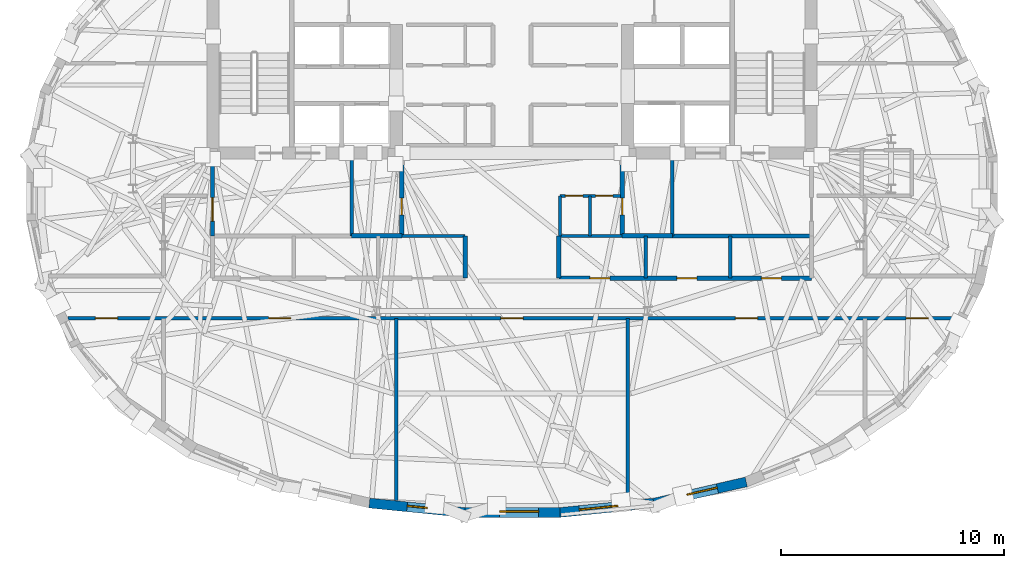
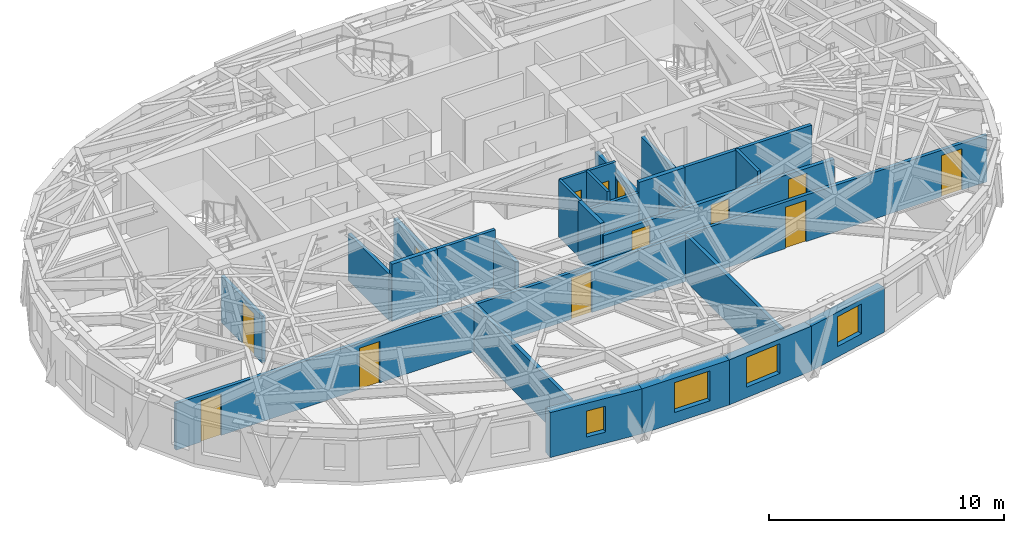
# One storey, part 6 of 13: 25 walls, 13 doors, 4 windows, 17 openings.
"""IFC4 building model written with IfcOpenShell, lengths in metres."""

import ifcopenshell
import ifcopenshell.guid

model = None  # the IFC model being written
_history = None  # IfcOwnerHistory: only IFC2X3 demands one
_inside = {}  # id of a spatial element -> (the spatial element, [elements in it])
_under = {}  # id of a project, library or spatial element -> (it, [spatial elements below it])
_declared = {}  # id of a project -> (the project, [libraries it declares])
_typed = {}  # id of a type object -> (the type object, [elements of that type])
_made_of = {}  # id of a material, layer set ... -> (it, [elements and type objects made of it])


def new_model(schema):
    """Start an empty IFC model of exactly this schema.

    Asked for "IFC4X3", IfcOpenShell would pick the latest addendum, in which some entities
    have other attributes; the version numbers below select the first issue.
    IFC2X3 requires an IfcOwnerHistory on every rooted entity: one is made here for all.
    """
    global model, _history
    if schema == "IFC4X3":
        model = ifcopenshell.file(schema_version=(4, 3, 0, 0))
    else:
        model = ifcopenshell.file(schema=schema)
    _inside.clear()
    _under.clear()
    _declared.clear()
    _typed.clear()
    _made_of.clear()
    _history = None
    if model.schema == "IFC2X3":
        org = make("IfcOrganization", Name="unknown")
        user = make(
            "IfcPersonAndOrganization",
            ThePerson=make("IfcPerson", FamilyName="unknown"),
            TheOrganization=org,
        )
        app = make(
            "IfcApplication",
            ApplicationDeveloper=org,
            Version="unknown",
            ApplicationFullName="unknown",
            ApplicationIdentifier="unknown",
        )
        _history = make(
            "IfcOwnerHistory",
            OwningUser=user,
            OwningApplication=app,
            ChangeAction="ADDED",
            CreationDate=0,
        )
    return model


def make(cls, **values):
    """One entity of the class cls with the attributes given. An attribute that is None is left unset."""
    return model.create_entity(
        cls, **{name: value for name, value in values.items() if value is not None}
    )


def rooted(cls, **values):
    """An entity with a GlobalId (a new one), such as an element, a storey or a relation."""
    return make(cls, GlobalId=ifcopenshell.guid.new(), OwnerHistory=_history, **values)


def si_unit(unit_type, name, prefix=None):
    """IfcSIUnit, for example si_unit("LENGTHUNIT", "METRE", prefix="MILLI")."""
    return make("IfcSIUnit", UnitType=unit_type, Prefix=prefix, Name=name)


def assignment(units):
    """IfcUnitAssignment: the units of a project."""
    return None if units is None else make("IfcUnitAssignment", Units=units)


def point(xyz):
    """IfcCartesianPoint."""
    return None if xyz is None else make("IfcCartesianPoint", Coordinates=xyz)


def direction(xyz):
    """IfcDirection."""
    return None if xyz is None else make("IfcDirection", DirectionRatios=xyz)


def frame(location, z_axis=None, x_axis=None):
    """IfcAxis2Placement3D, a coordinate frame: its origin and axes. An axis left out is left unset."""
    return make(
        "IfcAxis2Placement3D",
        Location=point(location),
        Axis=direction(z_axis),
        RefDirection=direction(x_axis),
    )


def frame_2d(location, x_axis=None):
    """IfcAxis2Placement2D, a coordinate frame in the plane: its origin and x axis."""
    return make(
        "IfcAxis2Placement2D", Location=point(location), RefDirection=direction(x_axis)
    )


def origin():
    """The frame at (0, 0, 0) with its axes left unset."""
    return frame((0.0, 0.0, 0.0))


def place(relative_to, where):
    """IfcLocalPlacement: puts the frame where relative to a parent placement (None: the world)."""
    return make(
        "IfcLocalPlacement", PlacementRelTo=relative_to, RelativePlacement=where
    )


def context(
    kind, dimensions, precision=None, world=None, true_north=None, identifier=None
):
    """IfcGeometricRepresentationContext, for example the 3D "Model" context."""
    return make(
        "IfcGeometricRepresentationContext",
        ContextIdentifier=identifier,
        ContextType=kind,
        CoordinateSpaceDimension=dimensions,
        Precision=precision,
        WorldCoordinateSystem=world,
        TrueNorth=true_north,
    )


def subcontext(parent, identifier, kind, view, scale=None):
    """IfcGeometricRepresentationSubContext, for example "Body" below "Model"."""
    return make(
        "IfcGeometricRepresentationSubContext",
        ContextIdentifier=identifier,
        ContextType=kind,
        ParentContext=parent,
        TargetScale=scale,
        TargetView=view,
    )


def project(units=None, contexts=None):
    """IfcProject with its units and contexts."""
    return rooted(
        "IfcProject",
        Name="project",
        RepresentationContexts=contexts,
        UnitsInContext=assignment(units),
    )


def spatial(cls, under=None, at=None, **own):
    """A site, building, storey or space (cls), placed at a placement, below another one or the project."""
    s = rooted(cls, ObjectPlacement=at, **own)
    if under is not None:
        _under.setdefault(under.id(), (under, []))[1].append(s)
    return s


def profile(cls, at=None, kind="AREA", **sizes):
    """A parametric profile (cls). Its sizes go by their IFC names, for example OverallWidth=200.0."""
    return make(cls, ProfileType=kind, Position=at, **sizes)


def rectangle(**sizes):
    """IfcRectangleProfileDef."""
    return profile("IfcRectangleProfileDef", **sizes)


def extrude(swept, where, along, depth):
    """IfcExtrudedAreaSolid: the profile swept, set in the frame where, extruded along a direction by depth."""
    return make(
        "IfcExtrudedAreaSolid",
        SweptArea=swept,
        Position=where,
        ExtrudedDirection=direction(along),
        Depth=depth,
    )


def shape(context_of_items, identifier, shape_type, items):
    """IfcShapeRepresentation: the items that make up one representation, for example the "Body"."""
    return make(
        "IfcShapeRepresentation",
        ContextOfItems=context_of_items,
        RepresentationIdentifier=identifier,
        RepresentationType=shape_type,
        Items=items,
    )


def material(Name=None, Category=None):
    """IfcMaterial."""
    return make("IfcMaterial", Name=Name, Category=Category)


def layer(
    of_material, thickness, ventilated=None, Name=None, Category=None, Priority=None
):
    """IfcMaterialLayer: one layer of a wall or slab, of a material (None: an air gap)."""
    return make(
        "IfcMaterialLayer",
        Material=of_material,
        LayerThickness=thickness,
        IsVentilated=ventilated,
        Name=Name,
        Category=Category,
        Priority=Priority,
    )


def layer_set(layers, Name=None):
    """IfcMaterialLayerSet."""
    return make("IfcMaterialLayerSet", MaterialLayers=layers, LayerSetName=Name)


def made_of(thing, what):
    """Note that an element or type object is made of a material, layer set ...; save() writes the relation."""
    if what is not None:
        _made_of.setdefault(what.id(), (what, []))[1].append(thing)
    return thing


def type_object(cls, material=None, **own):
    """A type object (cls), such as IfcWallType, which elements share."""
    return made_of(rooted(cls, **own), material)


def element(
    cls,
    number,
    at=None,
    inside=None,
    cuts=None,
    type_object=None,
    material=None,
    context=None,
    identifier="Body",
    shape_type=None,
    held_by="IfcProductDefinitionShape",
    body=None,
    shapes=None,
    **own,
):
    """One element of the class cls, such as IfcWall. Its Tag is "e" and its number.

    at: its placement. inside: the storey or other place that contains it. cuts: it is an
    opening in that element (IfcRelVoidsElement). A single representation is given by context,
    identifier, shape_type and body (its items); several are given by shapes. held_by: the class
    of the entity that holds the representations. save() writes the other relations.
    """
    e = rooted(cls, Tag="e%d" % number, ObjectPlacement=at, **own)
    if body is not None:
        shapes = [shape(context, identifier, shape_type, body)]
    if shapes is not None:
        e.Representation = make(held_by, Representations=shapes)
    if inside is not None:
        _inside.setdefault(inside.id(), (inside, []))[1].append(e)
    if cuts is not None:
        rooted(
            "IfcRelVoidsElement", RelatingBuildingElement=cuts, RelatedOpeningElement=e
        )
    if type_object is not None:
        _typed.setdefault(type_object.id(), (type_object, []))[1].append(e)
    return made_of(e, material)


def fill(opening, filler):
    """IfcRelFillsElement: the door or window that sits in an opening."""
    return rooted(
        "IfcRelFillsElement",
        RelatingOpeningElement=opening,
        RelatedBuildingElement=filler,
    )


def aggregate(whole, parts):
    """IfcRelAggregates: a whole, such as a stair, and the parts it consists of."""
    return rooted("IfcRelAggregates", RelatingObject=whole, RelatedObjects=parts)


def save(model, path):
    """Write the relations noted so far, then the file.

    IfcRelAggregates (storeys below a building ...), IfcRelContainedInSpatialStructure (elements
    in a storey), IfcRelDefinesByType, IfcRelAssociatesMaterial and IfcRelDeclares: one each for
    every whole, place, type object, material and project.
    """
    for whole, parts in _under.values():
        aggregate(whole, parts)
    for where, things in _inside.values():
        rooted(
            "IfcRelContainedInSpatialStructure",
            RelatedElements=things,
            RelatingStructure=where,
        )
    for kind, things in _typed.values():
        rooted("IfcRelDefinesByType", RelatedObjects=things, RelatingType=kind)
    for what, things in _made_of.values():
        rooted("IfcRelAssociatesMaterial", RelatedObjects=things, RelatingMaterial=what)
    for by, libraries in _declared.values():
        rooted("IfcRelDeclares", RelatingContext=by, RelatedDefinitions=libraries)
    model.write(path)


model = new_model("IFC4")

# Units and contexts
model_context = context("Model", 3, precision=1e-05, world=origin(), true_north=direction((0.0, 1.0)))
body_context = subcontext(model_context, "Body", "Model", "MODEL_VIEW")
ifc_project = project(units=[si_unit("LENGTHUNIT", "METRE"), si_unit("AREAUNIT", "SQUARE_METRE"), si_unit("VOLUMEUNIT", "CUBIC_METRE"), si_unit("PLANEANGLEUNIT", "RADIAN"), si_unit("MASSUNIT", "GRAM", prefix="KILO")], contexts=[model_context])

# Site, building, storey
site_placement = place(None, origin())
site = spatial("IfcSite", under=ifc_project, at=site_placement, CompositionType="ELEMENT")
building_placement = place(site_placement, origin())
building = spatial("IfcBuilding", under=site, at=building_placement, Name="Keldmark Tower", CompositionType="ELEMENT")
storey_placement = place(building_placement, frame((0.0, 0.0, 244.64990234375)))
storey = spatial("IfcBuildingStorey", under=building, at=storey_placement, Name="L69", CompositionType="ELEMENT", Elevation=244.64990234375)

# Walls
ifc_material_1 = material(Name="STC-58 Insulated Tenant Demising Gypsum Partition", Category="gypsum")
ifc_layer_1 = layer(ifc_material_1, 0.175048828125)
ifc_layer_set_1 = layer_set([ifc_layer_1], Name="STC-58 Insulated Tenant Demising Gypsum Partition")
wall_type_1 = type_object("IfcWallType", Name="Demising Suite Partition 175 mm", PredefinedType="PARTITIONING", material=ifc_layer_set_1)
for number, where, z_axis, x_axis, name in (
    (1, (-5.199951171875, -14.036376953125, 0.0), (0.0, 0.0, 1.0), (0.0, 1.0, 0.0), "L69 Demising Suite Partition 175 mm RS-ODIV-1"),
    (2, (5.199951171875, -14.036376953125, 0.0), (0.0, 0.0, 1.0), (0.0, 1.0, 0.0), "L69 Demising Suite Partition 175 mm RS-ODIV-2"),
):
    element("IfcWall", number, at=place(storey_placement, frame(where, z_axis=z_axis, x_axis=x_axis)), inside=storey, type_object=wall_type_1, Name=name, PredefinedType="PARTITIONING", context=body_context, shape_type="SweptSolid", body=[
        extrude(rectangle(XDim=8.186279296875, YDim=0.175048828125, at=frame_2d((4.09326171875, 0.0))), origin(), (0.0, 0.0, 1.0), 2.423095703125),
    ])
ifc_material_2 = material(Name="Heavy Acoustic Plumbing Chase Gypsum Assembly", Category="gypsum")
ifc_layer_2 = layer(ifc_material_2, 0.18994140625)
ifc_layer_set_2 = layer_set([ifc_layer_2], Name="Heavy Acoustic Plumbing Chase Gypsum Assembly")
wall_type_2 = type_object("IfcWallType", Name="Heavy Wet Wall 190 mm", PredefinedType="PLUMBINGWALL", material=ifc_layer_set_2)
wall_1_placement = place(storey_placement, frame((-2.10009765625, -4.050048828125, 0.0), z_axis=(0.0, 0.0, 1.0), x_axis=(0.0, 1.0, 0.0)))
element("IfcWall", 3, at=wall_1_placement, inside=storey, type_object=wall_type_2, Name="L69 Heavy Wet Wall 190 mm SPK-W-E", PredefinedType="PLUMBINGWALL", context=body_context, shape_type="SweptSolid", body=[
    extrude(rectangle(XDim=1.900146484375, YDim=0.18994140625, at=frame_2d((0.9501953125, 0.0))), origin(), (0.0, 0.0, 1.0), 2.423095703125),
])

# Wall, openings, doors
wall_2_placement = place(storey_placement, frame((2.10009765625, -4.050048828125, 0.0), z_axis=(0.0, 0.0, 1.0), x_axis=(1.0, 0.0, 0.0)))
wall_2 = element("IfcWall", 4, at=wall_2_placement, inside=storey, type_object=wall_type_2, Name="L69 Heavy Wet Wall 190 mm SPK-E-S", PredefinedType="PLUMBINGWALL", context=body_context, shape_type="SweptSolid", body=[
    extrude(rectangle(XDim=11.349853515625, YDim=0.18994140625, at=frame_2d((5.6748046875, 0.0))), origin(), (0.0, 0.0, 1.0), 2.357177734375),
])
opening_1_placement = place(wall_2_placement, frame((1.39990234375, 0.0, 0.0)))
opening_1 = element("IfcOpeningElement", 5, at=opening_1_placement, cuts=wall_2, Name="Opening D-IN090", PredefinedType="OPENING", context=body_context, shape_type="SweptSolid", body=[
    extrude(rectangle(XDim=0.89990234375, YDim=2.10009765625, at=frame_2d((0.449951171875, 1.050048828125))), frame((0.0, 0.10498046875, 0.0), z_axis=(0.0, -1.0, 0.0), x_axis=(1.0, 0.0, 0.0)), (0.0, 0.0, 1.0), 0.2099609375),
])
opening_2_placement = place(wall_2_placement, frame((5.300048828125, 0.0, 0.0)))
opening_2 = element("IfcOpeningElement", 6, at=opening_2_placement, cuts=wall_2, Name="Opening D-IN090", PredefinedType="OPENING", context=body_context, shape_type="SweptSolid", body=[
    extrude(rectangle(XDim=0.89990234375, YDim=2.10009765625, at=frame_2d((0.449951171875, 1.050048828125))), frame((0.0, 0.10498046875, 0.0), z_axis=(0.0, -1.0, 0.0), x_axis=(1.0, 0.0, 0.0)), (0.0, 0.0, 1.0), 0.2099609375),
])
opening_3_placement = place(wall_2_placement, frame((9.10009765625, 0.0, 0.0)))
opening_3 = element("IfcOpeningElement", 7, at=opening_3_placement, cuts=wall_2, Name="Opening D-IN090", PredefinedType="OPENING", context=body_context, shape_type="SweptSolid", body=[
    extrude(rectangle(XDim=0.89990234375, YDim=2.10009765625, at=frame_2d((0.449951171875, 1.050048828125))), frame((0.0, 0.10498046875, 0.0), z_axis=(0.0, -1.0, 0.0), x_axis=(1.0, 0.0, 0.0)), (0.0, 0.0, 1.0), 0.2099609375),
])
ifc_material_3 = material(Name="Stained American White Oak Veneer", Category="wood")
door_type_1 = type_object("IfcDoorType", Name="Interior Door 900x2100", OperationType="NOTDEFINED", PredefinedType="DOOR", material=ifc_material_3)
door_1_placement = place(opening_1_placement, origin())
door_1 = element("IfcDoor", 8, at=door_1_placement, inside=storey, type_object=door_type_1, Name="L69 Interior Door 900x2100 D-SPKE1-L69", OperationType="SINGLE_SWING_RIGHT", OverallHeight=2.10009765625, OverallWidth=0.89990234375, PredefinedType="DOOR", context=body_context, shape_type="SweptSolid", body=[
    extrude(rectangle(XDim=0.89990234375, YDim=2.10009765625, at=frame_2d((0.449951171875, 1.050048828125))), frame((0.0, 0.02490234375, 0.0), z_axis=(0.0, -1.0, 0.0), x_axis=(1.0, 0.0, 0.0)), (0.0, 0.0, 1.0), 0.050048828125),
])
fill(opening_1, door_1)
door_2_placement = place(opening_2_placement, origin())
door_2 = element("IfcDoor", 9, at=door_2_placement, inside=storey, type_object=door_type_1, Name="L69 Interior Door 900x2100 D-SPKE2-L69", OperationType="SINGLE_SWING_LEFT", OverallHeight=2.10009765625, OverallWidth=0.89990234375, PredefinedType="DOOR", context=body_context, shape_type="SweptSolid", body=[
    extrude(rectangle(XDim=0.89990234375, YDim=2.10009765625, at=frame_2d((0.449951171875, 1.050048828125))), frame((0.0, 0.02490234375, 0.0), z_axis=(0.0, -1.0, 0.0), x_axis=(1.0, 0.0, 0.0)), (0.0, 0.0, 1.0), 0.050048828125),
])
fill(opening_2, door_2)
door_3_placement = place(opening_3_placement, origin())
door_3 = element("IfcDoor", 10, at=door_3_placement, inside=storey, type_object=door_type_1, Name="L69 Interior Door 900x2100 D-SPKE3-L69", OperationType="SINGLE_SWING_RIGHT", OverallHeight=2.10009765625, OverallWidth=0.89990234375, PredefinedType="DOOR", context=body_context, shape_type="SweptSolid", body=[
    extrude(rectangle(XDim=0.89990234375, YDim=2.10009765625, at=frame_2d((0.449951171875, 1.050048828125))), frame((0.0, 0.02490234375, 0.0), z_axis=(0.0, -1.0, 0.0), x_axis=(1.0, 0.0, 0.0)), (0.0, 0.0, 1.0), 0.050048828125),
])
fill(opening_3, door_3)

# Wall
wall_3_placement = place(storey_placement, frame((2.10009765625, -4.050048828125, 0.0), z_axis=(0.0, 0.0, 1.0), x_axis=(0.0, 1.0, 0.0)))
element("IfcWall", 11, at=wall_3_placement, inside=storey, type_object=wall_type_2, Name="L69 Heavy Wet Wall 190 mm SPK-E-W", PredefinedType="PLUMBINGWALL", context=body_context, shape_type="SweptSolid", body=[
    extrude(rectangle(XDim=1.900146484375, YDim=0.18994140625, at=frame_2d((0.9501953125, 0.0))), origin(), (0.0, 0.0, 1.0), 2.97021484375),
])

# Wall, openings, doors
ifc_material_4 = material(Name="Acoustic Gypsum Board Interior Partition", Category="gypsum")
ifc_layer_3 = layer(ifc_material_4, 0.1298828125)
ifc_layer_set_3 = layer_set([ifc_layer_3], Name="Acoustic Gypsum Board Interior Partition")
wall_type_3 = type_object("IfcWallType", Name="Interior Partition 130 mm", PredefinedType="PARTITIONING", material=ifc_layer_set_3)
wall_4_placement = place(storey_placement, frame((2.14990234375, -0.35009765625, 0.0), z_axis=(0.0, 0.0, 1.0), x_axis=(1.0, 0.0, 0.0)))
wall_4 = element("IfcWall", 12, at=wall_4_placement, inside=storey, type_object=wall_type_3, Name="L69 Interior Partition 130 mm CSC-E-N", PredefinedType="PARTITIONING", context=body_context, shape_type="SweptSolid", body=[
    extrude(rectangle(XDim=2.72998046875, YDim=0.1298828125, at=frame_2d((1.364990234375, 0.0))), origin(), (0.0, 0.0, 1.0), 2.97021484375),
])
opening_4_placement = place(wall_4_placement, frame((0.25, 0.0, 0.0)))
opening_4 = element("IfcOpeningElement", 13, at=opening_4_placement, cuts=wall_4, Name="Opening D-CL078", PredefinedType="OPENING", context=body_context, shape_type="SweptSolid", body=[
    extrude(rectangle(XDim=0.780029296875, YDim=2.10009765625, at=frame_2d((0.39013671875, 1.050048828125))), frame((0.0, 0.074951171875, 0.0), z_axis=(0.0, -1.0, 0.0), x_axis=(1.0, 0.0, 0.0)), (0.0, 0.0, 1.0), 0.14990234375),
])
opening_5_placement = place(wall_4_placement, frame((1.60009765625, 0.0, 0.0)))
opening_5 = element("IfcOpeningElement", 14, at=opening_5_placement, cuts=wall_4, Name="Opening D-CL078", PredefinedType="OPENING", context=body_context, shape_type="SweptSolid", body=[
    extrude(rectangle(XDim=0.780029296875, YDim=2.10009765625, at=frame_2d((0.39013671875, 1.050048828125))), frame((0.0, 0.074951171875, 0.0), z_axis=(0.0, -1.0, 0.0), x_axis=(1.0, 0.0, 0.0)), (0.0, 0.0, 1.0), 0.14990234375),
])
ifc_material_5 = material(Name="Flush Utility Closet Timber Door", Category="wood")
door_type_2 = type_object("IfcDoorType", Name="Closet Door 780x2100", OperationType="NOTDEFINED", PredefinedType="DOOR", material=ifc_material_5)
door_4_placement = place(opening_4_placement, origin())
door_4 = element("IfcDoor", 15, at=door_4_placement, inside=storey, type_object=door_type_2, Name="L69 Closet Door 780x2100 D-CSCE1-L69", OperationType="SINGLE_SWING_LEFT", OverallHeight=2.10009765625, OverallWidth=0.780029296875, PredefinedType="DOOR", context=body_context, shape_type="SweptSolid", body=[
    extrude(rectangle(XDim=0.780029296875, YDim=2.10009765625, at=frame_2d((0.39013671875, 1.050048828125))), frame((0.0, 0.02490234375, 0.0), z_axis=(0.0, -1.0, 0.0), x_axis=(1.0, 0.0, 0.0)), (0.0, 0.0, 1.0), 0.050048828125),
])
fill(opening_4, door_4)
door_5_placement = place(opening_5_placement, origin())
door_5 = element("IfcDoor", 16, at=door_5_placement, inside=storey, type_object=door_type_2, Name="L69 Closet Door 780x2100 D-CSCE2-L69", OperationType="SINGLE_SWING_RIGHT", OverallHeight=2.10009765625, OverallWidth=0.780029296875, PredefinedType="DOOR", context=body_context, shape_type="SweptSolid", body=[
    extrude(rectangle(XDim=0.780029296875, YDim=2.10009765625, at=frame_2d((0.39013671875, 1.050048828125))), frame((0.0, 0.02490234375, 0.0), z_axis=(0.0, -1.0, 0.0), x_axis=(1.0, 0.0, 0.0)), (0.0, 0.0, 1.0), 0.050048828125),
])
fill(opening_5, door_5)

# Walls
for number, where, z_axis, x_axis, name in (
    (17, (2.14990234375, -2.14990234375, 0.0), (0.0, 0.0, 1.0), (0.0, 1.0, 0.0), "L69 Interior Partition 130 mm CSC-E-W"),
    (18, (3.5, -2.14990234375, 0.0), (0.0, 0.0, 1.0), (0.0, 1.0, 0.0), "L69 Interior Partition 130 mm CSC-E-M"),
):
    element("IfcWall", number, at=place(storey_placement, frame(where, z_axis=z_axis, x_axis=x_axis)), inside=storey, type_object=wall_type_3, Name=name, PredefinedType="PARTITIONING", context=body_context, shape_type="SweptSolid", body=[
        extrude(rectangle(XDim=1.7998046875, YDim=0.1298828125, at=frame_2d((0.89990234375, 0.0))), origin(), (0.0, 0.0, 1.0), 2.97021484375),
    ])

# Wall, opening, door
ifc_material_6 = material(Name="Type X Fire-Rated Gypsum Partition Assembly", Category="gypsum")
ifc_layer_4 = layer(ifc_material_6, 0.1650390625)
ifc_layer_set_4 = layer_set([ifc_layer_4], Name="Type X Fire-Rated Gypsum Partition Assembly")
wall_type_4 = type_object("IfcWallType", Name="Rated Partition 165 mm", PredefinedType="PARTITIONING", material=ifc_layer_set_4)
wall_5_placement = place(storey_placement, frame((-13.449951171875, -2.14990234375, 0.0), z_axis=(0.0, 0.0, 1.0), x_axis=(0.0, 1.0, 0.0)))
wall_5 = element("IfcWall", 19, at=wall_5_placement, inside=storey, type_object=wall_type_4, Name="L69 Rated Partition 165 mm FSAE-W-W", PredefinedType="PARTITIONING", context=body_context, shape_type="SweptSolid", body=[
    extrude(rectangle(XDim=3.5, YDim=0.1650390625, at=frame_2d((1.75, 0.0))), origin(), (0.0, 0.0, 1.0), 2.423095703125),
])
opening_6_placement = place(wall_5_placement, frame((0.669921875, 0.0, 0.0)))
opening_6 = element("IfcOpeningElement", 20, at=opening_6_placement, cuts=wall_5, Name="Opening D-FL105", PredefinedType="OPENING", context=body_context, shape_type="SweptSolid", body=[
    extrude(rectangle(XDim=1.050048828125, YDim=2.14990234375, at=frame_2d((0.52490234375, 1.074951171875))), frame((0.0, 0.092529296875, 0.0), z_axis=(0.0, -1.0, 0.0), x_axis=(1.0, 0.0, 0.0)), (0.0, 0.0, 1.0), 0.18505859375),
])
ifc_material_7 = material(Name="Fire-Rated Mineral-Core Door and Vision Lite", Category="metal")
door_type_3 = type_object("IfcDoorType", Name="Fire Lobby Door 1050x2150", OperationType="NOTDEFINED", PredefinedType="DOOR", material=ifc_material_7)
door_6_placement = place(opening_6_placement, origin())
door_6 = element("IfcDoor", 21, at=door_6_placement, inside=storey, type_object=door_type_3, Name="L69 Fire Lobby Door 1050x2150 D-FSAEW-OUT-L69", OperationType="SINGLE_SWING_LEFT", OverallHeight=2.14990234375, OverallWidth=1.050048828125, PredefinedType="DOOR", context=body_context, shape_type="SweptSolid", body=[
    extrude(rectangle(XDim=1.050048828125, YDim=2.14990234375, at=frame_2d((0.52490234375, 1.074951171875))), frame((0.0, 0.02490234375, 0.0), z_axis=(0.0, -1.0, 0.0), x_axis=(1.0, 0.0, 0.0)), (0.0, 0.0, 1.0), 0.050048828125),
])
fill(opening_6, door_6)

# Walls
wall_6_placement = place(storey_placement, frame((-7.199951171875, -2.14990234375, 0.0), z_axis=(0.0, 0.0, 1.0), x_axis=(0.0, 1.0, 0.0)))
element("IfcWall", 22, at=wall_6_placement, inside=storey, type_object=wall_type_4, Name="L69 Rated Partition 165 mm FSAE-W-E", PredefinedType="PARTITIONING", context=body_context, shape_type="SweptSolid", body=[
    extrude(rectangle(XDim=3.5, YDim=0.1650390625, at=frame_2d((1.75, 0.0))), origin(), (0.0, 0.0, 1.0), 2.423095703125),
])
wall_7_placement = place(storey_placement, frame((7.199951171875, -2.14990234375, 0.0), z_axis=(0.0, 0.0, 1.0), x_axis=(1.0, 0.0, 0.0)))
element("IfcWall", 23, at=wall_7_placement, inside=storey, type_object=wall_type_4, Name="L69 Rated Partition 165 mm FSAE-E-S", PredefinedType="PARTITIONING", context=body_context, shape_type="SweptSolid", body=[
    extrude(rectangle(XDim=6.25, YDim=0.1650390625, at=frame_2d((3.125, 0.0))), origin(), (0.0, 0.0, 1.0), 2.97021484375),
])
wall_8_placement = place(storey_placement, frame((7.199951171875, -2.14990234375, 0.0), z_axis=(0.0, 0.0, 1.0), x_axis=(0.0, 1.0, 0.0)))
element("IfcWall", 24, at=wall_8_placement, inside=storey, type_object=wall_type_4, Name="L69 Rated Partition 165 mm FSAE-E-W", PredefinedType="PARTITIONING", context=body_context, shape_type="SweptSolid", body=[
    extrude(rectangle(XDim=3.5, YDim=0.1650390625, at=frame_2d((1.75, 0.0))), origin(), (0.0, 0.0, 1.0), 2.423095703125),
])

# Wall, openings, doors
wall_9_placement = place(storey_placement, frame((-19.9345703125, -5.85009765625, 0.0), z_axis=(0.0, 0.0, 1.0), x_axis=(1.0, 0.0, 0.0)))
wall_9 = element("IfcWall", 25, at=wall_9_placement, inside=storey, type_object=wall_type_4, Name="L69 Rated Partition 165 mm RCOR-S", PredefinedType="PARTITIONING", context=body_context, shape_type="SweptSolid", body=[
    extrude(rectangle(XDim=39.869140625, YDim=0.1650390625, at=frame_2d((19.9345703125, 0.0))), origin(), (0.0, 0.0, 1.0), 2.423095703125),
])
opening_7_placement = place(wall_9_placement, frame((1.220947265625, 0.0, 0.0)))
opening_7 = element("IfcOpeningElement", 26, at=opening_7_placement, cuts=wall_9, Name="Opening D-FD100", PredefinedType="OPENING", context=body_context, shape_type="SweptSolid", body=[
    extrude(rectangle(XDim=1.0, YDim=2.14990234375, at=frame_2d((0.5, 1.074951171875))), frame((0.0, 0.092529296875, 0.0), z_axis=(0.0, -1.0, 0.0), x_axis=(1.0, 0.0, 0.0)), (0.0, 0.0, 1.0), 0.18505859375),
])
opening_8_placement = place(wall_9_placement, frame((37.6279296875, 0.0, 0.0)))
opening_8 = element("IfcOpeningElement", 27, at=opening_8_placement, cuts=wall_9, Name="Opening D-FD100", PredefinedType="OPENING", context=body_context, shape_type="SweptSolid", body=[
    extrude(rectangle(XDim=1.0, YDim=2.14990234375, at=frame_2d((0.5, 1.074951171875))), frame((0.0, 0.092529296875, 0.0), z_axis=(0.0, -1.0, 0.0), x_axis=(1.0, 0.0, 0.0)), (0.0, 0.0, 1.0), 0.18505859375),
])
opening_9_placement = place(wall_9_placement, frame((9.010009765625, 0.0, 0.0)))
opening_9 = element("IfcOpeningElement", 28, at=opening_9_placement, cuts=wall_9, Name="Opening D-FD100", PredefinedType="OPENING", context=body_context, shape_type="SweptSolid", body=[
    extrude(rectangle(XDim=1.0, YDim=2.14990234375, at=frame_2d((0.5, 1.074951171875))), frame((0.0, 0.092529296875, 0.0), z_axis=(0.0, -1.0, 0.0), x_axis=(1.0, 0.0, 0.0)), (0.0, 0.0, 1.0), 0.18505859375),
])
opening_10_placement = place(wall_9_placement, frame((19.434814453125, 0.0, 0.0)))
opening_10 = element("IfcOpeningElement", 29, at=opening_10_placement, cuts=wall_9, Name="Opening D-FD100", PredefinedType="OPENING", context=body_context, shape_type="SweptSolid", body=[
    extrude(rectangle(XDim=1.0, YDim=2.14990234375, at=frame_2d((0.5, 1.074951171875))), frame((0.0, 0.092529296875, 0.0), z_axis=(0.0, -1.0, 0.0), x_axis=(1.0, 0.0, 0.0)), (0.0, 0.0, 1.0), 0.18505859375),
])
opening_11_placement = place(wall_9_placement, frame((29.9599609375, 0.0, 0.0)))
opening_11 = element("IfcOpeningElement", 30, at=opening_11_placement, cuts=wall_9, Name="Opening D-FD100", PredefinedType="OPENING", context=body_context, shape_type="SweptSolid", body=[
    extrude(rectangle(XDim=1.0, YDim=2.14990234375, at=frame_2d((0.5, 1.074951171875))), frame((0.0, 0.092529296875, 0.0), z_axis=(0.0, -1.0, 0.0), x_axis=(1.0, 0.0, 0.0)), (0.0, 0.0, 1.0), 0.18505859375),
])
ifc_material_8 = material(Name="Hollow Metal Fire-Rated Corridor Door", Category="metal")
door_type_4 = type_object("IfcDoorType", Name="Fire Door 1000x2150", OperationType="NOTDEFINED", PredefinedType="DOOR", material=ifc_material_8)
door_7_placement = place(opening_7_placement, origin())
door_7 = element("IfcDoor", 31, at=door_7_placement, inside=storey, type_object=door_type_4, Name="L69 Fire Door 1000x2150 D-RSCW-L69", OperationType="SINGLE_SWING_LEFT", OverallHeight=2.14990234375, OverallWidth=1.0, PredefinedType="DOOR", context=body_context, shape_type="SweptSolid", body=[
    extrude(rectangle(XDim=1.0, YDim=2.14990234375, at=frame_2d((0.5, 1.074951171875))), frame((0.0, 0.02490234375, 0.0), z_axis=(0.0, -1.0, 0.0), x_axis=(1.0, 0.0, 0.0)), (0.0, 0.0, 1.0), 0.050048828125),
])
fill(opening_7, door_7)
door_8_placement = place(opening_8_placement, origin())
door_8 = element("IfcDoor", 32, at=door_8_placement, inside=storey, type_object=door_type_4, Name="L69 Fire Door 1000x2150 D-RSCE-L69", OperationType="SINGLE_SWING_LEFT", OverallHeight=2.14990234375, OverallWidth=1.0, PredefinedType="DOOR", context=body_context, shape_type="SweptSolid", body=[
    extrude(rectangle(XDim=1.0, YDim=2.14990234375, at=frame_2d((0.5, 1.074951171875))), frame((0.0, 0.02490234375, 0.0), z_axis=(0.0, -1.0, 0.0), x_axis=(1.0, 0.0, 0.0)), (0.0, 0.0, 1.0), 0.050048828125),
])
fill(opening_8, door_8)
door_9_placement = place(opening_9_placement, origin())
door_9 = element("IfcDoor", 33, at=door_9_placement, inside=storey, type_object=door_type_4, Name="L69 Fire Door 1000x2150 D-RSOF-1-L69", OperationType="SINGLE_SWING_LEFT", OverallHeight=2.14990234375, OverallWidth=1.0, PredefinedType="DOOR", context=body_context, shape_type="SweptSolid", body=[
    extrude(rectangle(XDim=1.0, YDim=2.14990234375, at=frame_2d((0.5, 1.074951171875))), frame((0.0, 0.02490234375, 0.0), z_axis=(0.0, -1.0, 0.0), x_axis=(1.0, 0.0, 0.0)), (0.0, 0.0, 1.0), 0.050048828125),
])
fill(opening_9, door_9)
door_10_placement = place(opening_10_placement, origin())
door_10 = element("IfcDoor", 34, at=door_10_placement, inside=storey, type_object=door_type_4, Name="L69 Fire Door 1000x2150 D-RSOF-2-L69", OperationType="SINGLE_SWING_RIGHT", OverallHeight=2.14990234375, OverallWidth=1.0, PredefinedType="DOOR", context=body_context, shape_type="SweptSolid", body=[
    extrude(rectangle(XDim=1.0, YDim=2.14990234375, at=frame_2d((0.5, 1.074951171875))), frame((0.0, 0.02490234375, 0.0), z_axis=(0.0, -1.0, 0.0), x_axis=(1.0, 0.0, 0.0)), (0.0, 0.0, 1.0), 0.050048828125),
])
fill(opening_10, door_10)
door_11_placement = place(opening_11_placement, origin())
door_11 = element("IfcDoor", 35, at=door_11_placement, inside=storey, type_object=door_type_4, Name="L69 Fire Door 1000x2150 D-RSOF-3-L69", OperationType="SINGLE_SWING_LEFT", OverallHeight=2.14990234375, OverallWidth=1.0, PredefinedType="DOOR", context=body_context, shape_type="SweptSolid", body=[
    extrude(rectangle(XDim=1.0, YDim=2.14990234375, at=frame_2d((0.5, 1.074951171875))), frame((0.0, 0.02490234375, 0.0), z_axis=(0.0, -1.0, 0.0), x_axis=(1.0, 0.0, 0.0)), (0.0, 0.0, 1.0), 0.050048828125),
])
fill(opening_11, door_11)

# Wall
ifc_material_9 = material(Name="Fire-Resistant Type X Gypsum Shaftliner Coreboard", Category="gypsum")
ifc_layer_5 = layer(ifc_material_9, 0.199951171875)
ifc_layer_set_5 = layer_set([ifc_layer_5], Name="Fire-Resistant Type X Gypsum Shaftliner Coreboard")
wall_type_5 = type_object("IfcWallType", Name="Shaft Wall 200 mm", PredefinedType="SOLIDWALL", material=ifc_layer_set_5)
wall_10_placement = place(storey_placement, frame((-7.199951171875, -2.14990234375, 0.0), z_axis=(0.0, 0.0, 1.0), x_axis=(1.0, 0.0, 0.0)))
element("IfcWall", 36, at=wall_10_placement, inside=storey, type_object=wall_type_5, Name="L69 Shaft Wall 200 mm RIS-SW-S", PredefinedType="SOLIDWALL", context=body_context, shape_type="SweptSolid", body=[
    extrude(rectangle(XDim=2.25, YDim=0.199951171875, at=frame_2d((1.125, 0.0))), origin(), (0.0, 0.0, 1.0), 2.97021484375),
])

# Wall, opening, door
wall_11_placement = place(storey_placement, frame((-4.949951171875, -2.14990234375, 0.0), z_axis=(0.0, 0.0, 1.0), x_axis=(0.0, 1.0, 0.0)))
wall_11 = element("IfcWall", 37, at=wall_11_placement, inside=storey, type_object=wall_type_5, Name="L69 Shaft Wall 200 mm RIS-SW-E", PredefinedType="SOLIDWALL", context=body_context, shape_type="SweptSolid", body=[
    extrude(rectangle(XDim=3.5, YDim=0.199951171875, at=frame_2d((1.75, 0.0))), origin(), (0.0, 0.0, 1.0), 2.423095703125),
])
opening_12_placement = place(wall_11_placement, frame((0.949951171875, 0.0, 0.0)))
opening_12 = element("IfcOpeningElement", 38, at=opening_12_placement, cuts=wall_11, Name="Opening D-RS075", PredefinedType="OPENING", context=body_context, shape_type="SweptSolid", body=[
    extrude(rectangle(XDim=0.75, YDim=2.10009765625, at=frame_2d((0.375, 1.050048828125))), frame((0.0, 0.10986328125, 0.0), z_axis=(0.0, -1.0, 0.0), x_axis=(1.0, 0.0, 0.0)), (0.0, 0.0, 1.0), 0.219970703125),
])
ifc_material_10 = material(Name="Galvanized Fire-Rated Access Leaf", Category="metal")
door_type_5 = type_object("IfcDoorType", Name="Riser Access Door 750x2100", OperationType="NOTDEFINED", PredefinedType="DOOR", material=ifc_material_10)
door_12_placement = place(opening_12_placement, origin())
door_12 = element("IfcDoor", 39, at=door_12_placement, inside=storey, type_object=door_type_5, Name="L69 Riser Access Door 750x2100 D-RISSW-L69", OperationType="SINGLE_SWING_RIGHT", OverallHeight=2.10009765625, OverallWidth=0.75, PredefinedType="DOOR", context=body_context, shape_type="SweptSolid", body=[
    extrude(rectangle(XDim=0.75, YDim=2.10009765625, at=frame_2d((0.375, 1.050048828125))), frame((0.0, 0.02490234375, 0.0), z_axis=(0.0, -1.0, 0.0), x_axis=(1.0, 0.0, 0.0)), (0.0, 0.0, 1.0), 0.050048828125),
])
fill(opening_12, door_12)

# Wall
wall_12_placement = place(storey_placement, frame((4.949951171875, -2.14990234375, 0.0), z_axis=(0.0, 0.0, 1.0), x_axis=(1.0, 0.0, 0.0)))
element("IfcWall", 40, at=wall_12_placement, inside=storey, type_object=wall_type_5, Name="L69 Shaft Wall 200 mm RIS-SE-S", PredefinedType="SOLIDWALL", context=body_context, shape_type="SweptSolid", body=[
    extrude(rectangle(XDim=2.25, YDim=0.199951171875, at=frame_2d((1.125, 0.0))), origin(), (0.0, 0.0, 1.0), 2.97021484375),
])

# Wall, opening, door
wall_13_placement = place(storey_placement, frame((4.949951171875, -2.14990234375, 0.0), z_axis=(0.0, 0.0, 1.0), x_axis=(0.0, 1.0, 0.0)))
wall_13 = element("IfcWall", 41, at=wall_13_placement, inside=storey, type_object=wall_type_5, Name="L69 Shaft Wall 200 mm RIS-SE-W", PredefinedType="SOLIDWALL", context=body_context, shape_type="SweptSolid", body=[
    extrude(rectangle(XDim=3.5, YDim=0.199951171875, at=frame_2d((1.75, 0.0))), origin(), (0.0, 0.0, 1.0), 2.423095703125),
])
opening_13_placement = place(wall_13_placement, frame((0.949951171875, 0.0, 0.0)))
opening_13 = element("IfcOpeningElement", 42, at=opening_13_placement, cuts=wall_13, Name="Opening D-RS075", PredefinedType="OPENING", context=body_context, shape_type="SweptSolid", body=[
    extrude(rectangle(XDim=0.75, YDim=2.10009765625, at=frame_2d((0.375, 1.050048828125))), frame((0.0, 0.10986328125, 0.0), z_axis=(0.0, -1.0, 0.0), x_axis=(1.0, 0.0, 0.0)), (0.0, 0.0, 1.0), 0.219970703125),
])
door_13_placement = place(opening_13_placement, origin())
door_13 = element("IfcDoor", 43, at=door_13_placement, inside=storey, type_object=door_type_5, Name="L69 Riser Access Door 750x2100 D-RISSE-L69", OperationType="SINGLE_SWING_LEFT", OverallHeight=2.10009765625, OverallWidth=0.75, PredefinedType="DOOR", context=body_context, shape_type="SweptSolid", body=[
    extrude(rectangle(XDim=0.75, YDim=2.10009765625, at=frame_2d((0.375, 1.050048828125))), frame((0.0, 0.02490234375, 0.0), z_axis=(0.0, -1.0, 0.0), x_axis=(1.0, 0.0, 0.0)), (0.0, 0.0, 1.0), 0.050048828125),
])
fill(opening_13, door_13)

# Wall, opening, window
ifc_material_11 = material(Name="Ironspot Manganese Brick and Kasota Buff Limestone Spandrel Assembly", Category="masonry")
ifc_layer_6 = layer(ifc_material_11, 0.43994140625)
ifc_layer_set_6 = layer_set([ifc_layer_6], Name="Ironspot Manganese Brick and Kasota Buff Limestone Spandrel Assembly")
wall_type_6 = type_object("IfcWallType", Name="Tower Brick Pier and Spandrel Wall 440 mm", PredefinedType="STANDARD", material=ifc_layer_set_6)
wall_14_placement = place(storey_placement, frame((-2.126220703125, -14.56982421875, 0.0), z_axis=(0.0, 0.0, 1.0), x_axis=(-0.995134540264, 0.098525361068, 0.0)))
wall_14 = element("IfcWall", 44, at=wall_14_placement, inside=storey, type_object=wall_type_6, Name="L69 Exterior Brick and Spandrel Wall 23", PredefinedType="STANDARD", context=body_context, shape_type="SweptSolid", body=[
    extrude(rectangle(XDim=4.29931640625, YDim=0.43994140625, at=frame_2d((2.149658203125, 0.0))), origin(), (0.0, 0.0, 1.0), 2.336181640625),
])
opening_14_placement = place(wall_14_placement, frame((1.69970703125, 0.0, 0.580078125)))
opening_14 = element("IfcOpeningElement", 45, at=opening_14_placement, cuts=wall_14, Name="Opening W-09", PredefinedType="OPENING", context=body_context, shape_type="SweptSolid", body=[
    extrude(rectangle(XDim=0.89990234375, YDim=1.35009765625, at=frame_2d((0.449951171875, 0.675048828125))), frame((0.0, 0.22998046875, 0.0), z_axis=(0.0, -1.0, 0.0), x_axis=(1.0, 0.0, 0.0)), (0.0, 0.0, 1.0), 0.4599609375),
])
ifc_material_12 = material(Name="Thermally Broken Anodized Aluminum and Triple Low-E Argon Glazing", Category="aluminium")
window_type_1 = type_object("IfcWindowType", Name="Corner Pier Deep-Set Window 900x1350", PartitioningType="SINGLE_PANEL", PredefinedType="WINDOW", material=ifc_material_12)
window_1_placement = place(opening_14_placement, origin())
window_1 = element("IfcWindow", 46, at=window_1_placement, inside=storey, type_object=window_type_1, Name="L69 Deep-Set Window 23", OverallHeight=1.35009765625, OverallWidth=0.89990234375, PartitioningType="SINGLE_PANEL", PredefinedType="WINDOW", context=body_context, shape_type="SweptSolid", body=[
    extrude(rectangle(XDim=0.89990234375, YDim=1.35009765625, at=frame_2d((0.449951171875, 0.675048828125))), frame((0.0, -0.010009765625, 0.0), z_axis=(0.0, -1.0, 0.0), x_axis=(1.0, 0.0, 0.0)), (0.0, 0.0, 1.0), 0.06005859375),
])
fill(opening_14, window_1)

wall_15_placement = place(storey_placement, frame((2.14794921875, -14.56884765625, 0.0), z_axis=(0.0, 0.0, 1.0), x_axis=(-1.0, 0.0, 0.0)))
wall_15 = element("IfcWall", 47, at=wall_15_placement, inside=storey, type_object=wall_type_6, Name="L69 Exterior Brick and Spandrel Wall 24", PredefinedType="STANDARD", context=body_context, shape_type="SweptSolid", body=[
    extrude(rectangle(XDim=4.2958984375, YDim=0.43994140625, at=frame_2d((2.14794921875, 0.0))), origin(), (0.0, 0.0, 1.0), 2.336181640625),
])
opening_15_placement = place(wall_15_placement, frame((0.948486328125, 0.0, 0.550048828125)))
opening_15 = element("IfcOpeningElement", 48, at=opening_15_placement, cuts=wall_15, Name="Opening W-05", PredefinedType="OPENING", context=body_context, shape_type="SweptSolid", body=[
    extrude(rectangle(XDim=1.75, YDim=1.550048828125, at=frame_2d((0.875, 0.77490234375))), frame((0.0, 0.22998046875, 0.0), z_axis=(0.0, -1.0, 0.0), x_axis=(1.0, 0.0, 0.0)), (0.0, 0.0, 1.0), 0.4599609375),
])
ifc_material_13 = material(Name="Thermally Broken Anodized Aluminum and Triple Low-E Argon Glazing", Category="aluminium")
window_type_2 = type_object("IfcWindowType", Name="Residential Deep-Set Window 1750x1550", PartitioningType="DOUBLE_PANEL_VERTICAL", PredefinedType="WINDOW", material=ifc_material_13)
window_2_placement = place(opening_15_placement, origin())
window_2 = element("IfcWindow", 49, at=window_2_placement, inside=storey, type_object=window_type_2, Name="L69 Deep-Set Window 24", OverallHeight=1.550048828125, OverallWidth=1.75, PartitioningType="SINGLE_PANEL", PredefinedType="WINDOW", context=body_context, shape_type="SweptSolid", body=[
    extrude(rectangle(XDim=1.75, YDim=1.550048828125, at=frame_2d((0.875, 0.77490234375))), frame((0.0, -0.010009765625, 0.0), z_axis=(0.0, -1.0, 0.0), x_axis=(1.0, 0.0, 0.0)), (0.0, 0.0, 1.0), 0.06005859375),
])
fill(opening_15, window_2)

wall_16_placement = place(storey_placement, frame((6.404541015625, -14.146240234375, 0.0), z_axis=(0.0, 0.0, 1.0), x_axis=(-0.995134540264, -0.098525361068, 0.0)))
wall_16 = element("IfcWall", 50, at=wall_16_placement, inside=storey, type_object=wall_type_6, Name="L69 Exterior Brick and Spandrel Wall 25", PredefinedType="STANDARD", context=body_context, shape_type="SweptSolid", body=[
    extrude(rectangle(XDim=4.29931640625, YDim=0.43994140625, at=frame_2d((2.149658203125, 0.0))), origin(), (0.0, 0.0, 1.0), 2.336181640625),
])
opening_16_placement = place(wall_16_placement, frame((1.6494140625, 0.0, 0.550048828125)))
opening_16 = element("IfcOpeningElement", 51, at=opening_16_placement, cuts=wall_16, Name="Opening W-05", PredefinedType="OPENING", context=body_context, shape_type="SweptSolid", body=[
    extrude(rectangle(XDim=1.75, YDim=1.550048828125, at=frame_2d((0.875, 0.77490234375))), frame((0.0, 0.22998046875, 0.0), z_axis=(0.0, -1.0, 0.0), x_axis=(1.0, 0.0, 0.0)), (0.0, 0.0, 1.0), 0.4599609375),
])
window_3_placement = place(opening_16_placement, origin())
window_3 = element("IfcWindow", 52, at=window_3_placement, inside=storey, type_object=window_type_2, Name="L69 Deep-Set Window 25", OverallHeight=1.550048828125, OverallWidth=1.75, PartitioningType="SINGLE_PANEL", PredefinedType="WINDOW", context=body_context, shape_type="SweptSolid", body=[
    extrude(rectangle(XDim=1.75, YDim=1.550048828125, at=frame_2d((0.875, 0.77490234375))), frame((0.0, -0.010009765625, 0.0), z_axis=(0.0, -1.0, 0.0), x_axis=(1.0, 0.0, 0.0)), (0.0, 0.0, 1.0), 0.06005859375),
])
fill(opening_16, window_3)

wall_17_placement = place(storey_placement, frame((10.520263671875, -13.194580078125, 0.0), z_axis=(0.0, 0.0, 1.0), x_axis=(-0.974398936081, -0.224825962391, 0.0)))
wall_17 = element("IfcWall", 53, at=wall_17_placement, inside=storey, type_object=wall_type_6, Name="L69 Exterior Brick and Spandrel Wall 26", PredefinedType="STANDARD", context=body_context, shape_type="SweptSolid", body=[
    extrude(rectangle(XDim=4.25244140625, YDim=0.43994140625, at=frame_2d((2.126220703125, 0.0))), origin(), (0.0, 0.0, 1.0), 2.336181640625),
])
opening_17_placement = place(wall_17_placement, frame((1.328125, 0.0, 0.550048828125)))
opening_17 = element("IfcOpeningElement", 54, at=opening_17_placement, cuts=wall_17, Name="Opening W-08", PredefinedType="OPENING", context=body_context, shape_type="SweptSolid", body=[
    extrude(rectangle(XDim=1.39990234375, YDim=1.550048828125, at=frame_2d((0.699951171875, 0.77490234375))), frame((0.0, 0.22998046875, 0.0), z_axis=(0.0, -1.0, 0.0), x_axis=(1.0, 0.0, 0.0)), (0.0, 0.0, 1.0), 0.4599609375),
])
ifc_material_14 = material(Name="Thermally Broken Anodized Aluminum and Triple Low-E Argon Glazing", Category="aluminium")
window_type_3 = type_object("IfcWindowType", Name="Residential Corner Punched Window 1400x1550", PartitioningType="SINGLE_PANEL", PredefinedType="WINDOW", material=ifc_material_14)
window_4_placement = place(opening_17_placement, origin())
window_4 = element("IfcWindow", 55, at=window_4_placement, inside=storey, type_object=window_type_3, Name="L69 Deep-Set Window 26", OverallHeight=1.550048828125, OverallWidth=1.39990234375, PartitioningType="SINGLE_PANEL", PredefinedType="WINDOW", context=body_context, shape_type="SweptSolid", body=[
    extrude(rectangle(XDim=1.39990234375, YDim=1.550048828125, at=frame_2d((0.699951171875, 0.77490234375))), frame((0.0, -0.010009765625, 0.0), z_axis=(0.0, -1.0, 0.0), x_axis=(1.0, 0.0, 0.0)), (0.0, 0.0, 1.0), 0.06005859375),
])
fill(opening_17, window_4)

# Walls
ifc_material_15 = material(Name="Moisture-Resistant Gypsum Plumbing Partition", Category="gypsum")
ifc_layer_7 = layer(ifc_material_15, 0.14990234375)
ifc_layer_set_7 = layer_set([ifc_layer_7], Name="Moisture-Resistant Gypsum Plumbing Partition")
wall_type_7 = type_object("IfcWallType", Name="Wet Wall 150 mm", PredefinedType="PLUMBINGWALL", material=ifc_layer_set_7)
wall_18_placement = place(storey_placement, frame((-4.949951171875, -2.14990234375, 0.0), z_axis=(0.0, 0.0, 1.0), x_axis=(1.0, 0.0, 0.0)))
element("IfcWall", 56, at=wall_18_placement, inside=storey, type_object=wall_type_7, Name="L69 Wet Wall 150 mm SPK-W-N", PredefinedType="PLUMBINGWALL", context=body_context, shape_type="SweptSolid", body=[
    extrude(rectangle(XDim=2.849853515625, YDim=0.14990234375, at=frame_2d((1.4248046875, 0.0))), origin(), (0.0, 0.0, 1.0), 2.97021484375),
])
wall_19_placement = place(storey_placement, frame((2.10009765625, -2.14990234375, 0.0), z_axis=(0.0, 0.0, 1.0), x_axis=(1.0, 0.0, 0.0)))
element("IfcWall", 57, at=wall_19_placement, inside=storey, type_object=wall_type_7, Name="L69 Wet Wall 150 mm SPK-E-N", PredefinedType="PLUMBINGWALL", context=body_context, shape_type="SweptSolid", body=[
    extrude(rectangle(XDim=2.849853515625, YDim=0.14990234375, at=frame_2d((1.4248046875, 0.0))), origin(), (0.0, 0.0, 1.0), 2.423095703125),
])
wall_20_placement = place(storey_placement, frame((6.0, -4.050048828125, 0.0), z_axis=(0.0, 0.0, 1.0), x_axis=(0.0, 1.0, 0.0)))
element("IfcWall", 58, at=wall_20_placement, inside=storey, type_object=wall_type_7, Name="L69 Wet Wall 150 mm SPK-E-D1", PredefinedType="PLUMBINGWALL", context=body_context, shape_type="SweptSolid", body=[
    extrude(rectangle(XDim=1.900146484375, YDim=0.14990234375, at=frame_2d((0.9501953125, 0.0))), origin(), (0.0, 0.0, 1.0), 2.43115234375),
])
wall_21_placement = place(storey_placement, frame((9.800048828125, -4.050048828125, 0.0), z_axis=(0.0, 0.0, 1.0), x_axis=(0.0, 1.0, 0.0)))
element("IfcWall", 59, at=wall_21_placement, inside=storey, type_object=wall_type_7, Name="L69 Wet Wall 150 mm SPK-E-D2", PredefinedType="PLUMBINGWALL", context=body_context, shape_type="SweptSolid", body=[
    extrude(rectangle(XDim=1.900146484375, YDim=0.14990234375, at=frame_2d((0.9501953125, 0.0))), origin(), (0.0, 0.0, 1.0), 2.97021484375),
])

save(model, "model.ifc")
